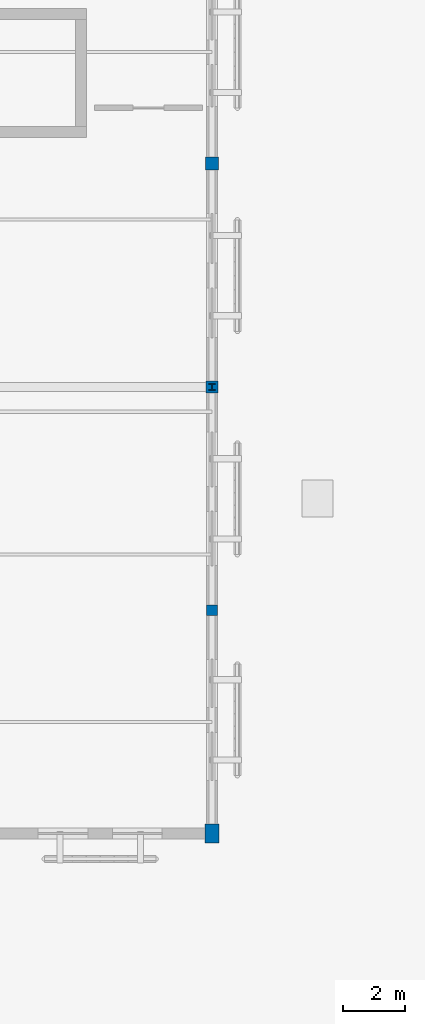
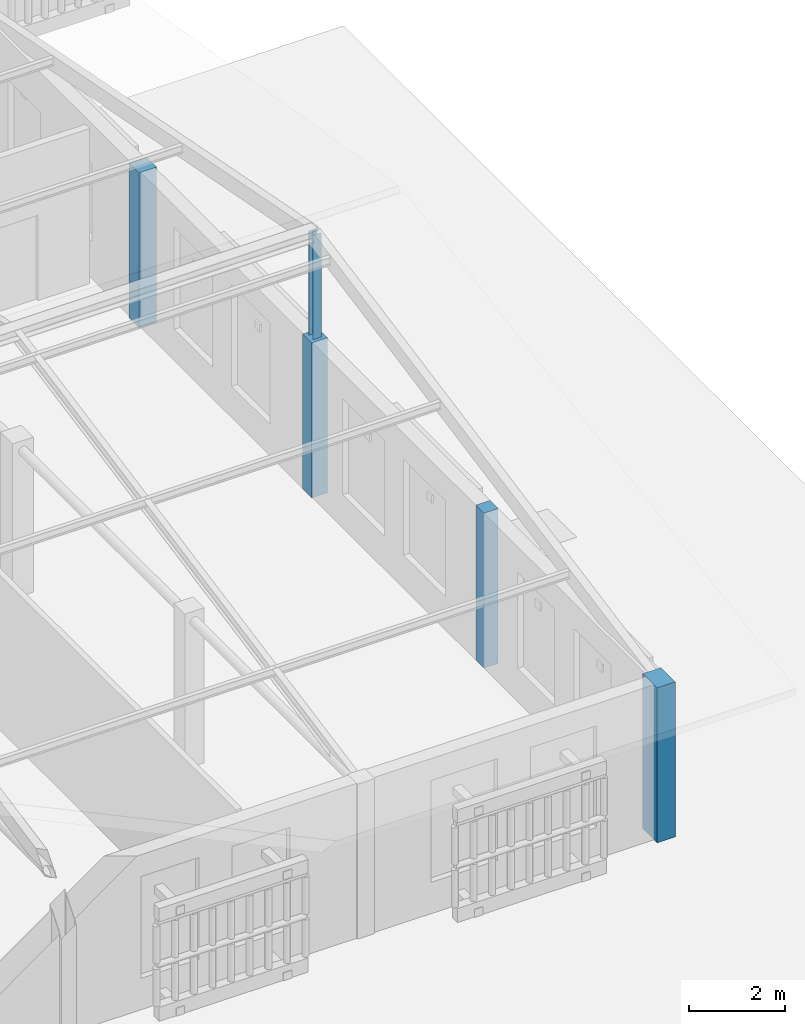
# One storey, part 10 of 112: 5 columns.
"""IFC4 building model written with IfcOpenShell, lengths in metres."""

from ifc_helpers import new_model, si_unit, direction, frame, origin, origin_2d, place, context, subcontext, project, spatial, rectangle, i_section, extrude, material, material_profile, profile_set, type_object, element, save


model = new_model("IFC4")

# Units and contexts
model_context = context("Model", 3, precision=1e-05, world=origin(), true_north=direction((0.0, 1.0)))
body_context = subcontext(model_context, "Body", "Model", "MODEL_VIEW")
ifc_project = project(units=[si_unit("LENGTHUNIT", "METRE"), si_unit("AREAUNIT", "SQUARE_METRE"), si_unit("VOLUMEUNIT", "CUBIC_METRE"), si_unit("PLANEANGLEUNIT", "RADIAN"), si_unit("MASSUNIT", "GRAM", prefix="KILO")], contexts=[model_context])

# Site, building, storey
site_placement = place(None, origin())
site = spatial("IfcSite", under=ifc_project, at=site_placement, CompositionType="ELEMENT")
building_placement = place(site_placement, origin())
building = spatial("IfcBuilding", under=site, at=building_placement, Name="Mazaris Harbour Polytechnic", CompositionType="ELEMENT")
storey_placement = place(building_placement, frame((0.0, 0.0, 13.800048828125)))
storey = spatial("IfcBuildingStorey", under=building, at=storey_placement, Name="L03", CompositionType="ELEMENT", Elevation=13.800048828125)

# Columns
ifc_material_1 = material(Name="Glulam GL28h", Category="wood")
ifc_material_profile_1 = material_profile(ifc_material_1, rectangle(XDim=0.340087890625, YDim=0.340087890625, at=origin_2d()), Name="RECT340x340")
ifc_profile_set_1 = profile_set([ifc_material_profile_1], Name="Glulam GL28h")
column_type_1 = type_object("IfcColumnType", Name="Glulam Column 340x340 Exterior", PredefinedType="COLUMN", material=ifc_profile_set_1)
column_1_placement = place(storey_placement, frame((165.60009765625, 21.60009765625, 0.0), z_axis=(0.0, 0.0, 1.0), x_axis=(1.0, 0.0, 0.0)))
element("IfcColumn", 1, at=column_1_placement, inside=storey, type_object=column_type_1, Name="V2 L03 Column 384", PredefinedType="COLUMN", context=body_context, shape_type="SweptSolid", body=[
    extrude(rectangle(XDim=0.340087890625, YDim=0.340087890625, at=origin_2d()), origin(), (0.0, 0.0, 1.0), 3.9599609375),
])
ifc_material_2 = material(Name="Glulam GL28h", Category="wood")
ifc_material_profile_2 = material_profile(ifc_material_2, rectangle(XDim=0.3798828125, YDim=0.3798828125, at=origin_2d()), Name="RECT380x380")
ifc_profile_set_2 = profile_set([ifc_material_profile_2], Name="Glulam GL28h")
column_type_2 = type_object("IfcColumnType", Name="Glulam Column 380x380 Exterior", PredefinedType="COLUMN", material=ifc_profile_set_2)
column_2_placement = place(storey_placement, frame((165.60009765625, 28.800048828125, 0.0), z_axis=(0.0, 0.0, 1.0), x_axis=(1.0, 0.0, 0.0)))
element("IfcColumn", 2, at=column_2_placement, inside=storey, type_object=column_type_2, Name="V2 L03 Column 385", PredefinedType="COLUMN", context=body_context, shape_type="SweptSolid", body=[
    extrude(rectangle(XDim=0.3798828125, YDim=0.3798828125, at=origin_2d()), origin(), (0.0, 0.0, 1.0), 3.9599609375),
])
ifc_material_3 = material(Name="Glulam GL28h", Category="wood")
ifc_material_profile_3 = material_profile(ifc_material_3, rectangle(XDim=0.419921875, YDim=0.419921875, at=origin_2d()), Name="RECT420x420")
ifc_profile_set_3 = profile_set([ifc_material_profile_3], Name="Glulam GL28h")
column_type_3 = type_object("IfcColumnType", Name="Glulam Column 420x420 Exterior", PredefinedType="COLUMN", material=ifc_profile_set_3)
column_3_placement = place(storey_placement, frame((165.60009765625, 36.0, 0.0), z_axis=(0.0, 0.0, 1.0), x_axis=(1.0, 0.0, 0.0)))
element("IfcColumn", 3, at=column_3_placement, inside=storey, type_object=column_type_3, Name="V2 L03 Column 386", PredefinedType="COLUMN", context=body_context, shape_type="SweptSolid", body=[
    extrude(rectangle(XDim=0.419921875, YDim=0.419921875, at=origin_2d()), origin(), (0.0, 0.0, 1.0), 3.9599609375),
])
ifc_material_4 = material(Name="Glulam GL28h", Category="wood")
ifc_material_profile_4 = material_profile(ifc_material_4, rectangle(XDim=0.43994140625, YDim=0.60009765625, at=origin_2d()), Name="RECT440x600")
ifc_profile_set_4 = profile_set([ifc_material_profile_4], Name="Glulam GL28h")
column_type_4 = type_object("IfcColumnType", Name="Glulam Column 440x600 Exterior", PredefinedType="COLUMN", material=ifc_profile_set_4)
column_4_placement = place(storey_placement, frame((165.60009765625, 14.39990234375, 0.0), z_axis=(0.0, 0.0, 1.0), x_axis=(1.0, 0.0, 0.0)))
element("IfcColumn", 4, at=column_4_placement, inside=storey, type_object=column_type_4, Name="V2 L03 Column 383", PredefinedType="COLUMN", context=body_context, shape_type="SweptSolid", body=[
    extrude(rectangle(XDim=0.43994140625, YDim=0.60009765625, at=origin_2d()), origin(), (0.0, 0.0, 1.0), 3.9599609375),
])
ifc_material_5 = material(Name="Steel S355", Category="steel")
ifc_material_profile_5 = material_profile(ifc_material_5, i_section(OverallWidth=0.199951171875, OverallDepth=0.199951171875, WebThickness=0.009033203125, FlangeThickness=0.014892578125, FilletRadius=0.01806640625, at=origin_2d()), Name="HEB 200")
ifc_profile_set_5 = profile_set([ifc_material_profile_5], Name="Steel S355")
column_type_5 = type_object("IfcColumnType", Name="Steel Column HEB200", PredefinedType="COLUMN", material=ifc_profile_set_5)
column_5_placement = place(storey_placement, frame((165.60009765625, 28.800048828125, 3.9599609375), z_axis=(0.0, 0.0, 1.0), x_axis=(1.0, 0.0, 0.0)))
element("IfcColumn", 5, at=column_5_placement, inside=storey, type_object=column_type_5, Name="V2 Pavilion Ridge King Post 165.6", PredefinedType="COLUMN", context=body_context, shape_type="SweptSolid", body=[
    extrude(i_section(OverallWidth=0.199951171875, OverallDepth=0.199951171875, WebThickness=0.009033203125, FlangeThickness=0.014892578125, FilletRadius=0.01806640625, at=origin_2d()), origin(), (0.0, 0.0, 1.0), 2.655029296875),
])

save(model, "model.ifc")
